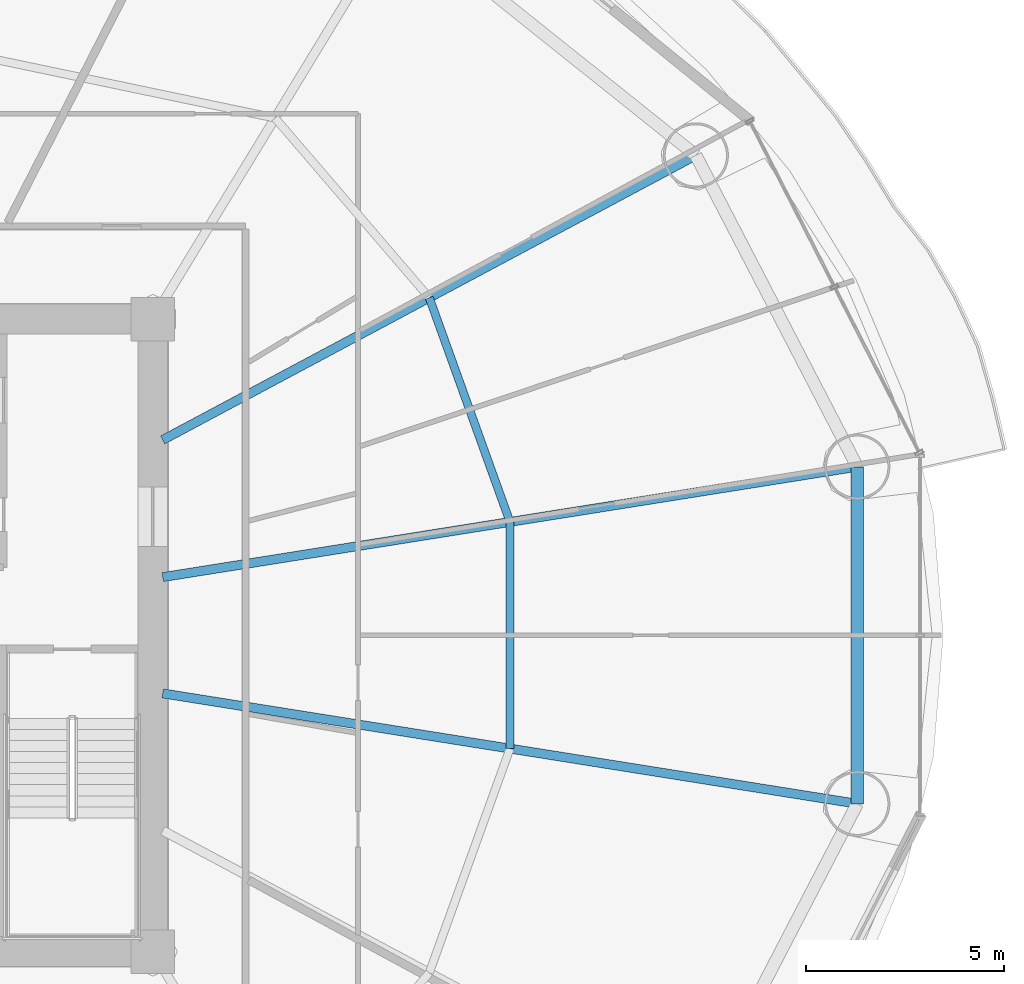
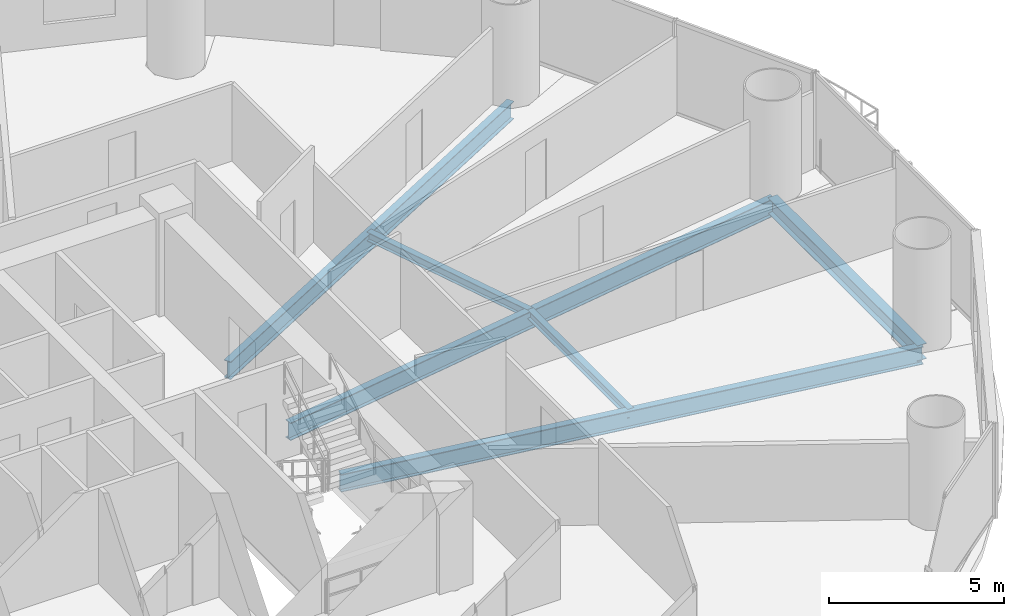
# One storey, part 13 of 29: 6 beams.
"""IFC4 building model written with IfcOpenShell, lengths in metres."""

from ifc_helpers import new_model, si_unit, direction, frame, origin, origin_2d, place, context, subcontext, project, spatial, i_section, extrude, material, material_profile, profile_set, type_object, element, save


model = new_model("IFC4")

# Units and contexts
model_context = context("Model", 3, precision=1e-05, world=origin(), true_north=direction((-0.2419218956, 0.970295726276)))
body_context = subcontext(model_context, "Body", "Model", "MODEL_VIEW")
ifc_project = project(units=[si_unit("LENGTHUNIT", "METRE"), si_unit("AREAUNIT", "SQUARE_METRE"), si_unit("VOLUMEUNIT", "CUBIC_METRE"), si_unit("PLANEANGLEUNIT", "RADIAN"), si_unit("MASSUNIT", "GRAM", prefix="KILO")], contexts=[model_context])

# Site, building, storey
site_placement = place(None, origin())
site = spatial("IfcSite", under=ifc_project, at=site_placement, CompositionType="ELEMENT")
building_placement = place(site_placement, origin())
building = spatial("IfcBuilding", under=site, at=building_placement, Name="Cobrevalo Terracotta Tower", CompositionType="ELEMENT")
storey_placement = place(building_placement, frame((0.0, 0.0, 45.60009765625)))
storey = spatial("IfcBuildingStorey", under=building, at=storey_placement, Name="L11", CompositionType="ELEMENT", Elevation=45.60009765625)

# Beams
ifc_material = material(Name="Steel S355", Category="steel")
ifc_material_profile_1 = material_profile(ifc_material, i_section(OverallWidth=0.22998046875, OverallDepth=0.616943359375, WebThickness=0.01318359375, FlangeThickness=0.022216796875, at=origin_2d()), Name="W 610x140")
ifc_profile_set_1 = profile_set([ifc_material_profile_1], Name="Steel S355")
beam_type_1 = type_object("IfcBeamType", Name="Structural Beam W 610x140 (Steel S355)", PredefinedType="BEAM", material=ifc_profile_set_1)
beam_1_placement = place(storey_placement, frame((64.824462890625, 31.062744140625, -0.588623046875), z_axis=(-0.987607924622, -0.156941349628, 0.0), x_axis=(0.156941349628, -0.987607924622, 0.0)))
element("IfcBeam", 1, at=beam_1_placement, inside=storey, type_object=beam_type_1, Name="L11 radial floor girder 01", PredefinedType="BEAM", context=body_context, shape_type="SweptSolid", body=[
    extrude(i_section(OverallWidth=0.22998046875, OverallDepth=0.616943359375, WebThickness=0.01318359375, FlangeThickness=0.022216796875, at=origin_2d()), origin(), (0.0, 0.0, 1.0), 17.7900390625),
])
beam_2_placement = place(storey_placement, frame((60.74072265625, 38.939208984375, -0.588623046875), z_axis=(-0.88218223571, -0.470908168329, 0.0), x_axis=(0.470908168329, -0.88218223571, 0.0)))
element("IfcBeam", 2, at=beam_2_placement, inside=storey, type_object=beam_type_1, Name="L11 radial floor girder 02", PredefinedType="BEAM", context=body_context, shape_type="SweptSolid", body=[
    extrude(i_section(OverallWidth=0.22998046875, OverallDepth=0.616943359375, WebThickness=0.01318359375, FlangeThickness=0.022216796875, at=origin_2d()), origin(), (0.0, 0.0, 1.0), 15.286865234375),
])
beam_3_placement = place(storey_placement, frame((64.824462890625, 22.537353515625, -0.588623046875), z_axis=(-0.987607924622, 0.156941349628, 0.0), x_axis=(-0.156941349628, -0.987607924622, 0.0)))
element("IfcBeam", 3, at=beam_3_placement, inside=storey, type_object=beam_type_1, Name="L11 radial floor girder 16", PredefinedType="BEAM", context=body_context, shape_type="SweptSolid", body=[
    extrude(i_section(OverallWidth=0.22998046875, OverallDepth=0.616943359375, WebThickness=0.01318359375, FlangeThickness=0.022216796875, at=origin_2d()), origin(), (0.0, 0.0, 1.0), 17.7900390625),
])
ifc_material_profile_2 = material_profile(ifc_material, i_section(OverallWidth=0.2041015625, OverallDepth=0.305908203125, WebThickness=0.008544921875, FlangeThickness=0.0146484375, at=origin_2d()), Name="W 310x67")
ifc_profile_set_2 = profile_set([ifc_material_profile_2], Name="Steel S355")
beam_type_2 = type_object("IfcBeamType", Name="Structural Joist W 310x67 (Steel S355)", PredefinedType="JOIST", material=ifc_profile_set_2)
beam_4_placement = place(storey_placement, frame((56.039794921875, 29.666748046875, -0.43310546875), z_axis=(-0.338672151116, 0.940904444701, 0.0), x_axis=(-0.940904444701, -0.338672151116, 0.0)))
element("IfcBeam", 4, at=beam_4_placement, inside=storey, type_object=beam_type_2, Name="L11 circumferential secondary floor joist 01", PredefinedType="JOIST", context=body_context, shape_type="SweptSolid", body=[
    extrude(i_section(OverallWidth=0.2041015625, OverallDepth=0.305908203125, WebThickness=0.008544921875, FlangeThickness=0.0146484375, at=origin_2d()), origin(), (0.0, 0.0, 1.0), 6.029296875),
])
beam_5_placement = place(storey_placement, frame((56.039794921875, 23.933349609375, -0.43310546875), z_axis=(0.0, 1.0, 0.0), x_axis=(-1.0, 0.0, 0.0)))
element("IfcBeam", 5, at=beam_5_placement, inside=storey, type_object=beam_type_2, Name="L11 circumferential secondary floor joist 16", PredefinedType="JOIST", context=body_context, shape_type="SweptSolid", body=[
    extrude(i_section(OverallWidth=0.2041015625, OverallDepth=0.305908203125, WebThickness=0.008544921875, FlangeThickness=0.0146484375, at=origin_2d()), origin(), (0.0, 0.0, 1.0), 5.7333984375),
])
ifc_material_profile_3 = material_profile(ifc_material, i_section(OverallWidth=0.31201171875, OverallDepth=0.54296875, WebThickness=0.0126953125, FlangeThickness=0.020263671875, at=origin_2d()), Name="W 530x150")
ifc_profile_set_3 = profile_set([ifc_material_profile_3], Name="Steel S355")
beam_type_3 = type_object("IfcBeamType", Name="Structural Spandrel W 530x150 (Steel S355)", PredefinedType="SPANDREL", material=ifc_profile_set_3)
beam_6_placement = place(storey_placement, frame((64.824462890625, 22.537353515625, -0.551513671875), z_axis=(0.0, 1.0, 0.0), x_axis=(-1.0, 0.0, 0.0)))
element("IfcBeam", 6, at=beam_6_placement, inside=storey, type_object=beam_type_3, Name="L11 perimeter ring spandrel 16", PredefinedType="SPANDREL", context=body_context, shape_type="SweptSolid", body=[
    extrude(i_section(OverallWidth=0.31201171875, OverallDepth=0.54296875, WebThickness=0.0126953125, FlangeThickness=0.020263671875, at=origin_2d()), origin(), (0.0, 0.0, 1.0), 8.525390625),
])

save(model, "model.ifc")
